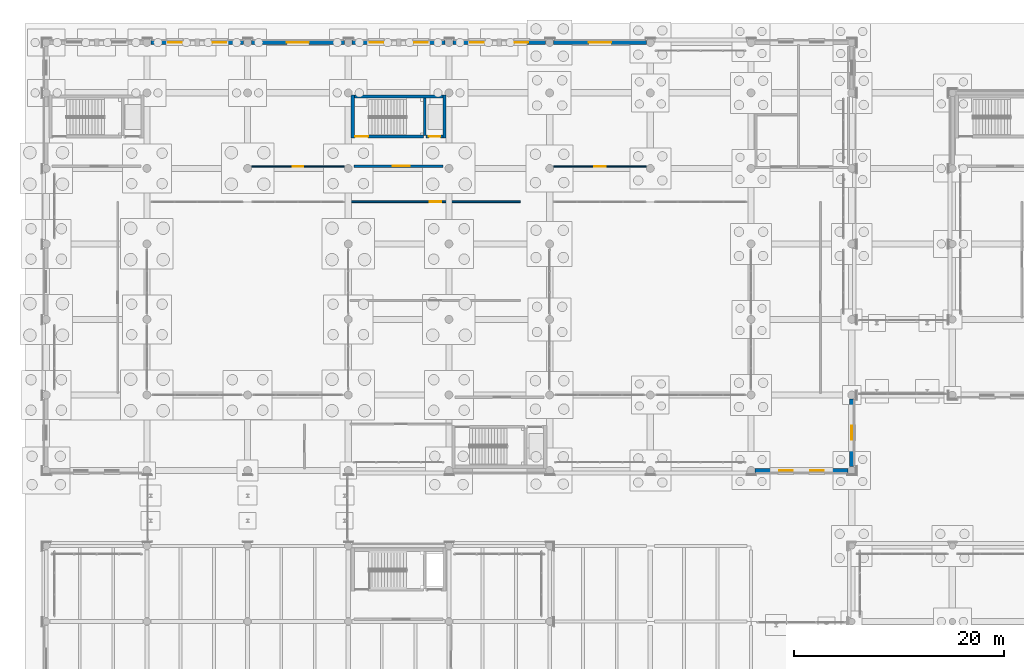
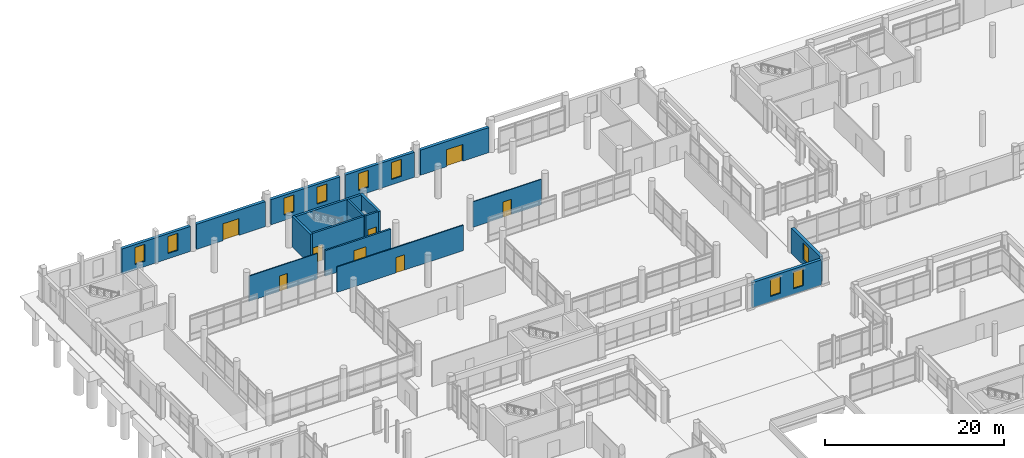
# One storey, part 163 of 196: 17 walls, 9 windows, 8 doors, 17 openings.
"""IFC4 building model written with IfcOpenShell, lengths in metres."""

from ifc_helpers import new_model, si_unit, direction, frame, frame_2d, origin, place, context, subcontext, project, spatial, rectangle, extrude, material, layer, layer_set, type_object, element, fill, save


model = new_model("IFC4")

# Units and contexts
model_context = context("Model", 3, precision=1e-05, world=origin(), true_north=direction((0.0, 1.0)))
body_context = subcontext(model_context, "Body", "Model", "MODEL_VIEW")
ifc_project = project(units=[si_unit("LENGTHUNIT", "METRE"), si_unit("AREAUNIT", "SQUARE_METRE"), si_unit("VOLUMEUNIT", "CUBIC_METRE"), si_unit("PLANEANGLEUNIT", "RADIAN"), si_unit("MASSUNIT", "GRAM", prefix="KILO")], contexts=[model_context])

# Site, building, storey
site_placement = place(None, origin())
site = spatial("IfcSite", under=ifc_project, at=site_placement, CompositionType="ELEMENT")
building_placement = place(site_placement, origin())
building = spatial("IfcBuilding", under=site, at=building_placement, Name="Asteropetra Specialist Clinic", CompositionType="ELEMENT")
storey_placement = place(building_placement, origin())
storey = spatial("IfcBuildingStorey", under=building, at=storey_placement, Name="L00", CompositionType="ELEMENT", Elevation=0.0)

# Wall, openings, windows
ifc_material_1 = material(Name="Pentelic marble ashlar", Category="masonry")
ifc_layer_1 = layer(ifc_material_1, 0.3798828125)
ifc_layer_set_1 = layer_set([ifc_layer_1], Name="Pentelic marble ashlar")
wall_type_1 = type_object("IfcWallType", Name="EW-PENTELIC-380", PredefinedType="SOLIDWALL", material=ifc_layer_set_1)
wall_1_placement = place(storey_placement, frame((18.824951171875, 110.39990234375, 0.0), z_axis=(0.0, 0.0, 1.0), x_axis=(-1.0, 0.0, 0.0)))
wall_1 = element("IfcWall", 1, at=wall_1_placement, inside=storey, type_object=wall_type_1, Name="Exterior Wall EW-0048", PredefinedType="SOLIDWALL", context=body_context, shape_type="SweptSolid", body=[
    extrude(rectangle(XDim=8.849853515625, YDim=0.3798828125, at=frame_2d((4.4248046875, 0.0))), origin(), (0.0, 0.0, 1.0), 3.419921875),
])
opening_1_placement = place(wall_1_placement, frame((1.65087890625, 0.0, 0.719970703125)))
opening_1 = element("IfcOpeningElement", 2, at=opening_1_placement, cuts=wall_1, Name="Opening W-0041", PredefinedType="OPENING", context=body_context, shape_type="SweptSolid", body=[
    extrude(rectangle(XDim=1.300048828125, YDim=2.320068359375, at=frame_2d((0.64990234375, 1.16015625))), frame((0.0, 0.199951171875, 0.0), z_axis=(0.0, -1.0, 0.0), x_axis=(1.0, 0.0, 0.0)), (0.0, 0.0, 1.0), 0.39990234375),
])
opening_2_placement = place(wall_1_placement, frame((5.89892578125, 0.0, 0.719970703125)))
opening_2 = element("IfcOpeningElement", 3, at=opening_2_placement, cuts=wall_1, Name="Opening W-0042", PredefinedType="OPENING", context=body_context, shape_type="SweptSolid", body=[
    extrude(rectangle(XDim=1.300048828125, YDim=2.320068359375, at=frame_2d((0.64990234375, 1.16015625))), frame((0.0, 0.199951171875, 0.0), z_axis=(0.0, -1.0, 0.0), x_axis=(1.0, 0.0, 0.0)), (0.0, 0.0, 1.0), 0.39990234375),
])
ifc_material_2 = material(Name="Thermally broken bronze aluminium and low-E glass", Category="aluminium")
window_type = type_object("IfcWindowType", Name="WIN-T20", PartitioningType="DOUBLE_PANEL_VERTICAL", PredefinedType="WINDOW", material=ifc_material_2)
window_1_placement = place(opening_1_placement, origin())
window_1 = element("IfcWindow", 4, at=window_1_placement, inside=storey, type_object=window_type, Name="Window W-0041", OverallHeight=2.320068359375, OverallWidth=1.300048828125, PartitioningType="SINGLE_PANEL", PredefinedType="WINDOW", context=body_context, shape_type="SweptSolid", body=[
    extrude(rectangle(XDim=1.300048828125, YDim=2.320068359375, at=frame_2d((0.64990234375, 1.16015625))), frame((0.0, 0.030029296875, 0.0), z_axis=(0.0, -1.0, 0.0), x_axis=(1.0, 0.0, 0.0)), (0.0, 0.0, 1.0), 0.06005859375),
])
fill(opening_1, window_1)
window_2_placement = place(opening_2_placement, origin())
window_2 = element("IfcWindow", 5, at=window_2_placement, inside=storey, type_object=window_type, Name="Window W-0042", OverallHeight=2.320068359375, OverallWidth=1.300048828125, PartitioningType="SINGLE_PANEL", PredefinedType="WINDOW", context=body_context, shape_type="SweptSolid", body=[
    extrude(rectangle(XDim=1.300048828125, YDim=2.320068359375, at=frame_2d((0.64990234375, 1.16015625))), frame((0.0, 0.030029296875, 0.0), z_axis=(0.0, -1.0, 0.0), x_axis=(1.0, 0.0, 0.0)), (0.0, 0.0, 1.0), 0.06005859375),
])
fill(opening_2, window_2)

# Wall, opening, door
wall_2_placement = place(storey_placement, frame((28.425048828125, 110.39990234375, 0.0), z_axis=(0.0, 0.0, 1.0), x_axis=(-1.0, 0.0, 0.0)))
wall_2 = element("IfcWall", 6, at=wall_2_placement, inside=storey, type_object=wall_type_1, Name="Exterior Wall EW-0049", PredefinedType="SOLIDWALL", context=body_context, shape_type="SweptSolid", body=[
    extrude(rectangle(XDim=8.85009765625, YDim=0.3798828125, at=frame_2d((4.425048828125, 0.0))), origin(), (0.0, 0.0, 1.0), 3.419921875),
])
opening_3_placement = place(wall_2_placement, frame((3.375, 0.0, 0.0)))
opening_3 = element("IfcOpeningElement", 7, at=opening_3_placement, cuts=wall_2, Name="Opening ED-008", PredefinedType="OPENING", context=body_context, shape_type="SweptSolid", body=[
    extrude(rectangle(XDim=2.10009765625, YDim=2.300048828125, at=frame_2d((1.050048828125, 1.14990234375))), frame((0.0, 0.199951171875, 0.0), z_axis=(0.0, -1.0, 0.0), x_axis=(1.0, 0.0, 0.0)), (0.0, 0.0, 1.0), 0.39990234375),
])
ifc_material_3 = material(Name="Bronze aluminium and safety glass", Category="aluminium")
door_type_1 = type_object("IfcDoorType", Name="EDR-EXIT-2100", OperationType="DOUBLE_DOOR_SINGLE_SWING", PredefinedType="DOOR", material=ifc_material_3)
door_1_placement = place(opening_3_placement, origin())
door_1 = element("IfcDoor", 8, at=door_1_placement, inside=storey, type_object=door_type_1, Name="Exterior Door ED-008", OperationType="DOUBLE_DOOR_SINGLE_SWING", OverallHeight=2.300048828125, OverallWidth=2.10009765625, PredefinedType="DOOR", context=body_context, shape_type="SweptSolid", body=[
    extrude(rectangle(XDim=2.10009765625, YDim=2.300048828125, at=frame_2d((1.050048828125, 1.14990234375))), frame((0.0, 0.02490234375, 0.0), z_axis=(0.0, -1.0, 0.0), x_axis=(1.0, 0.0, 0.0)), (0.0, 0.0, 1.0), 0.050048828125),
])
fill(opening_3, door_1)

# Wall, openings, windows
wall_3_placement = place(storey_placement, frame((38.02490234375, 110.39990234375, 0.0), z_axis=(0.0, 0.0, 1.0), x_axis=(-1.0, 0.0, 0.0)))
wall_3 = element("IfcWall", 9, at=wall_3_placement, inside=storey, type_object=wall_type_1, Name="Exterior Wall EW-0050", PredefinedType="SOLIDWALL", context=body_context, shape_type="SweptSolid", body=[
    extrude(rectangle(XDim=8.849853515625, YDim=0.3798828125, at=frame_2d((4.4248046875, 0.0))), origin(), (0.0, 0.0, 1.0), 3.419921875),
])
opening_4_placement = place(wall_3_placement, frame((1.65087890625, 0.0, 0.719970703125)))
opening_4 = element("IfcOpeningElement", 10, at=opening_4_placement, cuts=wall_3, Name="Opening W-0043", PredefinedType="OPENING", context=body_context, shape_type="SweptSolid", body=[
    extrude(rectangle(XDim=1.300048828125, YDim=2.320068359375, at=frame_2d((0.64990234375, 1.16015625))), frame((0.0, 0.199951171875, 0.0), z_axis=(0.0, -1.0, 0.0), x_axis=(1.0, 0.0, 0.0)), (0.0, 0.0, 1.0), 0.39990234375),
])
opening_5_placement = place(wall_3_placement, frame((5.89892578125, 0.0, 0.719970703125)))
opening_5 = element("IfcOpeningElement", 11, at=opening_5_placement, cuts=wall_3, Name="Opening W-0044", PredefinedType="OPENING", context=body_context, shape_type="SweptSolid", body=[
    extrude(rectangle(XDim=1.300048828125, YDim=2.320068359375, at=frame_2d((0.64990234375, 1.16015625))), frame((0.0, 0.199951171875, 0.0), z_axis=(0.0, -1.0, 0.0), x_axis=(1.0, 0.0, 0.0)), (0.0, 0.0, 1.0), 0.39990234375),
])
window_3_placement = place(opening_4_placement, origin())
window_3 = element("IfcWindow", 12, at=window_3_placement, inside=storey, type_object=window_type, Name="Window W-0043", OverallHeight=2.320068359375, OverallWidth=1.300048828125, PartitioningType="SINGLE_PANEL", PredefinedType="WINDOW", context=body_context, shape_type="SweptSolid", body=[
    extrude(rectangle(XDim=1.300048828125, YDim=2.320068359375, at=frame_2d((0.64990234375, 1.16015625))), frame((0.0, 0.030029296875, 0.0), z_axis=(0.0, -1.0, 0.0), x_axis=(1.0, 0.0, 0.0)), (0.0, 0.0, 1.0), 0.06005859375),
])
fill(opening_4, window_3)
window_4_placement = place(opening_5_placement, origin())
window_4 = element("IfcWindow", 13, at=window_4_placement, inside=storey, type_object=window_type, Name="Window W-0044", OverallHeight=2.320068359375, OverallWidth=1.300048828125, PartitioningType="SINGLE_PANEL", PredefinedType="WINDOW", context=body_context, shape_type="SweptSolid", body=[
    extrude(rectangle(XDim=1.300048828125, YDim=2.320068359375, at=frame_2d((0.64990234375, 1.16015625))), frame((0.0, 0.030029296875, 0.0), z_axis=(0.0, -1.0, 0.0), x_axis=(1.0, 0.0, 0.0)), (0.0, 0.0, 1.0), 0.06005859375),
])
fill(opening_5, window_4)

wall_4_placement = place(storey_placement, frame((47.625, 110.39990234375, 0.0), z_axis=(0.0, 0.0, 1.0), x_axis=(-1.0, 0.0, 0.0)))
wall_4 = element("IfcWall", 14, at=wall_4_placement, inside=storey, type_object=wall_type_1, Name="Exterior Wall EW-0052", PredefinedType="SOLIDWALL", context=body_context, shape_type="SweptSolid", body=[
    extrude(rectangle(XDim=8.85009765625, YDim=0.3798828125, at=frame_2d((4.425048828125, 0.0))), origin(), (0.0, 0.0, 1.0), 3.419921875),
])
opening_6_placement = place(wall_4_placement, frame((1.65087890625, 0.0, 0.719970703125)))
opening_6 = element("IfcOpeningElement", 15, at=opening_6_placement, cuts=wall_4, Name="Opening W-0045", PredefinedType="OPENING", context=body_context, shape_type="SweptSolid", body=[
    extrude(rectangle(XDim=1.300048828125, YDim=2.320068359375, at=frame_2d((0.64990234375, 1.16015625))), frame((0.0, 0.199951171875, 0.0), z_axis=(0.0, -1.0, 0.0), x_axis=(1.0, 0.0, 0.0)), (0.0, 0.0, 1.0), 0.39990234375),
])
opening_7_placement = place(wall_4_placement, frame((5.89892578125, 0.0, 0.719970703125)))
opening_7 = element("IfcOpeningElement", 16, at=opening_7_placement, cuts=wall_4, Name="Opening W-0046", PredefinedType="OPENING", context=body_context, shape_type="SweptSolid", body=[
    extrude(rectangle(XDim=1.300048828125, YDim=2.320068359375, at=frame_2d((0.64990234375, 1.16015625))), frame((0.0, 0.199951171875, 0.0), z_axis=(0.0, -1.0, 0.0), x_axis=(1.0, 0.0, 0.0)), (0.0, 0.0, 1.0), 0.39990234375),
])
window_5_placement = place(opening_6_placement, origin())
window_5 = element("IfcWindow", 17, at=window_5_placement, inside=storey, type_object=window_type, Name="Window W-0045", OverallHeight=2.320068359375, OverallWidth=1.300048828125, PartitioningType="SINGLE_PANEL", PredefinedType="WINDOW", context=body_context, shape_type="SweptSolid", body=[
    extrude(rectangle(XDim=1.300048828125, YDim=2.320068359375, at=frame_2d((0.64990234375, 1.16015625))), frame((0.0, 0.030029296875, 0.0), z_axis=(0.0, -1.0, 0.0), x_axis=(1.0, 0.0, 0.0)), (0.0, 0.0, 1.0), 0.06005859375),
])
fill(opening_6, window_5)
window_6_placement = place(opening_7_placement, origin())
window_6 = element("IfcWindow", 18, at=window_6_placement, inside=storey, type_object=window_type, Name="Window W-0046", OverallHeight=2.320068359375, OverallWidth=1.300048828125, PartitioningType="SINGLE_PANEL", PredefinedType="WINDOW", context=body_context, shape_type="SweptSolid", body=[
    extrude(rectangle(XDim=1.300048828125, YDim=2.320068359375, at=frame_2d((0.64990234375, 1.16015625))), frame((0.0, 0.030029296875, 0.0), z_axis=(0.0, -1.0, 0.0), x_axis=(1.0, 0.0, 0.0)), (0.0, 0.0, 1.0), 0.06005859375),
])
fill(opening_7, window_6)

# Wall, opening, door
wall_5_placement = place(storey_placement, frame((57.22509765625, 110.39990234375, 0.0), z_axis=(0.0, 0.0, 1.0), x_axis=(-1.0, 0.0, 0.0)))
wall_5 = element("IfcWall", 19, at=wall_5_placement, inside=storey, type_object=wall_type_1, Name="Exterior Wall EW-0053", PredefinedType="SOLIDWALL", context=body_context, shape_type="SweptSolid", body=[
    extrude(rectangle(XDim=8.85009765625, YDim=0.3798828125, at=frame_2d((4.425048828125, 0.0))), origin(), (0.0, 0.0, 1.0), 3.419921875),
])
opening_8_placement = place(wall_5_placement, frame((3.375, 0.0, 0.0)))
opening_8 = element("IfcOpeningElement", 20, at=opening_8_placement, cuts=wall_5, Name="Opening ED-009", PredefinedType="OPENING", context=body_context, shape_type="SweptSolid", body=[
    extrude(rectangle(XDim=2.10009765625, YDim=2.300048828125, at=frame_2d((1.050048828125, 1.14990234375))), frame((0.0, 0.199951171875, 0.0), z_axis=(0.0, -1.0, 0.0), x_axis=(1.0, 0.0, 0.0)), (0.0, 0.0, 1.0), 0.39990234375),
])
door_2_placement = place(opening_8_placement, origin())
door_2 = element("IfcDoor", 21, at=door_2_placement, inside=storey, type_object=door_type_1, Name="Exterior Door ED-009", OperationType="DOUBLE_DOOR_SINGLE_SWING", OverallHeight=2.300048828125, OverallWidth=2.10009765625, PredefinedType="DOOR", context=body_context, shape_type="SweptSolid", body=[
    extrude(rectangle(XDim=2.10009765625, YDim=2.300048828125, at=frame_2d((1.050048828125, 1.14990234375))), frame((0.0, 0.02490234375, 0.0), z_axis=(0.0, -1.0, 0.0), x_axis=(1.0, 0.0, 0.0)), (0.0, 0.0, 1.0), 0.050048828125),
])
fill(opening_8, door_2)

# Wall, openings, windows
wall_6_placement = place(storey_placement, frame((67.574951171875, 69.60009765625, 0.0), z_axis=(0.0, 0.0, 1.0), x_axis=(1.0, 0.0, 0.0)))
wall_6 = element("IfcWall", 22, at=wall_6_placement, inside=storey, type_object=wall_type_1, Name="Exterior Wall EW-0054", PredefinedType="SOLIDWALL", context=body_context, shape_type="SweptSolid", body=[
    extrude(rectangle(XDim=8.85009765625, YDim=0.3798828125, at=frame_2d((4.425048828125, 0.0))), origin(), (0.0, 0.0, 1.0), 3.419921875),
])
opening_9_placement = place(wall_6_placement, frame((2.300048828125, 0.0, 0.719970703125)))
opening_9 = element("IfcOpeningElement", 23, at=opening_9_placement, cuts=wall_6, Name="Opening W-0047", PredefinedType="OPENING", context=body_context, shape_type="SweptSolid", body=[
    extrude(rectangle(XDim=1.300048828125, YDim=2.320068359375, at=frame_2d((0.64990234375, 1.16015625))), frame((0.0, 0.199951171875, 0.0), z_axis=(0.0, -1.0, 0.0), x_axis=(1.0, 0.0, 0.0)), (0.0, 0.0, 1.0), 0.39990234375),
])
opening_10_placement = place(wall_6_placement, frame((5.25, 0.0, 0.719970703125)))
opening_10 = element("IfcOpeningElement", 24, at=opening_10_placement, cuts=wall_6, Name="Opening W-0048", PredefinedType="OPENING", context=body_context, shape_type="SweptSolid", body=[
    extrude(rectangle(XDim=1.300048828125, YDim=2.320068359375, at=frame_2d((0.64990234375, 1.16015625))), frame((0.0, 0.199951171875, 0.0), z_axis=(0.0, -1.0, 0.0), x_axis=(1.0, 0.0, 0.0)), (0.0, 0.0, 1.0), 0.39990234375),
])
window_7_placement = place(opening_9_placement, origin())
window_7 = element("IfcWindow", 25, at=window_7_placement, inside=storey, type_object=window_type, Name="Window W-0047", OverallHeight=2.320068359375, OverallWidth=1.300048828125, PartitioningType="SINGLE_PANEL", PredefinedType="WINDOW", context=body_context, shape_type="SweptSolid", body=[
    extrude(rectangle(XDim=1.300048828125, YDim=2.320068359375, at=frame_2d((0.64990234375, 1.16015625))), frame((0.0, 0.030029296875, 0.0), z_axis=(0.0, -1.0, 0.0), x_axis=(1.0, 0.0, 0.0)), (0.0, 0.0, 1.0), 0.06005859375),
])
fill(opening_9, window_7)
window_8_placement = place(opening_10_placement, origin())
window_8 = element("IfcWindow", 26, at=window_8_placement, inside=storey, type_object=window_type, Name="Window W-0048", OverallHeight=2.320068359375, OverallWidth=1.300048828125, PartitioningType="SINGLE_PANEL", PredefinedType="WINDOW", context=body_context, shape_type="SweptSolid", body=[
    extrude(rectangle(XDim=1.300048828125, YDim=2.320068359375, at=frame_2d((0.64990234375, 1.16015625))), frame((0.0, 0.030029296875, 0.0), z_axis=(0.0, -1.0, 0.0), x_axis=(1.0, 0.0, 0.0)), (0.0, 0.0, 1.0), 0.06005859375),
])
fill(opening_10, window_8)

# Wall, opening, window
wall_7_placement = place(storey_placement, frame((76.800048828125, 69.97509765625, 0.0), z_axis=(0.0, 0.0, 1.0), x_axis=(0.0, 1.0, 0.0)))
wall_7 = element("IfcWall", 27, at=wall_7_placement, inside=storey, type_object=wall_type_1, Name="Exterior Wall EW-0057", PredefinedType="SOLIDWALL", context=body_context, shape_type="SweptSolid", body=[
    extrude(rectangle(XDim=6.449951171875, YDim=0.3798828125, at=frame_2d((3.22509765625, 0.0))), origin(), (0.0, 0.0, 1.0), 3.419921875),
])
opening_11_placement = place(wall_7_placement, frame((2.574951171875, 0.0, 0.719970703125)))
opening_11 = element("IfcOpeningElement", 28, at=opening_11_placement, cuts=wall_7, Name="Opening W-0052", PredefinedType="OPENING", context=body_context, shape_type="SweptSolid", body=[
    extrude(rectangle(XDim=1.300048828125, YDim=2.320068359375, at=frame_2d((0.64990234375, 1.16015625))), frame((0.0, 0.199951171875, 0.0), z_axis=(0.0, -1.0, 0.0), x_axis=(1.0, 0.0, 0.0)), (0.0, 0.0, 1.0), 0.39990234375),
])
window_9_placement = place(opening_11_placement, origin())
window_9 = element("IfcWindow", 29, at=window_9_placement, inside=storey, type_object=window_type, Name="Window W-0052", OverallHeight=2.320068359375, OverallWidth=1.300048828125, PartitioningType="SINGLE_PANEL", PredefinedType="WINDOW", context=body_context, shape_type="SweptSolid", body=[
    extrude(rectangle(XDim=1.300048828125, YDim=2.320068359375, at=frame_2d((0.64990234375, 1.16015625))), frame((0.0, 0.030029296875, 0.0), z_axis=(0.0, -1.0, 0.0), x_axis=(1.0, 0.0, 0.0)), (0.0, 0.0, 1.0), 0.06005859375),
])
fill(opening_11, window_9)

# Wall, opening, door
ifc_material_4 = material(Name="Fire-rated masonry and gypsum", Category="masonry")
ifc_layer_2 = layer(ifc_material_4, 0.219970703125)
ifc_layer_set_2 = layer_set([ifc_layer_2], Name="Fire-rated masonry and gypsum")
wall_type_2 = type_object("IfcWallType", Name="W-COMP-220", PredefinedType="PARTITIONING", material=ifc_layer_set_2)
wall_8_placement = place(storey_placement, frame((29.360107421875, 98.6201171875, 0.0), z_axis=(0.0, 0.0, 1.0), x_axis=(1.0, 0.0, 0.0)))
wall_8 = element("IfcWall", 30, at=wall_8_placement, inside=storey, type_object=wall_type_2, Name="Core Wall CW-C2-L00-LOB", PredefinedType="PARTITIONING", context=body_context, shape_type="SweptSolid", body=[
    extrude(rectangle(XDim=8.47998046875, YDim=0.219970703125, at=frame_2d((4.239990234375, 0.0))), origin(), (0.0, 0.0, 1.0), 3.469970703125),
])
opening_12_placement = place(wall_8_placement, frame((3.699951171875, 0.0, 0.0)))
opening_12 = element("IfcOpeningElement", 31, at=opening_12_placement, cuts=wall_8, Name="Opening FD-014", PredefinedType="OPENING", context=body_context, shape_type="SweptSolid", body=[
    extrude(rectangle(XDim=1.60009765625, YDim=2.199951171875, at=frame_2d((0.800048828125, 1.10009765625))), frame((0.0, 0.119873046875, 0.0), z_axis=(0.0, -1.0, 0.0), x_axis=(1.0, 0.0, 0.0)), (0.0, 0.0, 1.0), 0.239990234375),
])
ifc_material_5 = material(Name="Fire-rated steel and vision glass door", Category="steel")
door_type_2 = type_object("IfcDoorType", Name="FD-LOBBY-1600", OperationType="DOUBLE_DOOR_SINGLE_SWING", PredefinedType="DOOR", material=ifc_material_5)
door_3_placement = place(opening_12_placement, origin())
door_3 = element("IfcDoor", 32, at=door_3_placement, inside=storey, type_object=door_type_2, Name="Lobby Fire Door FD-014", OperationType="DOUBLE_DOOR_SINGLE_SWING", OverallHeight=2.199951171875, OverallWidth=1.60009765625, PredefinedType="DOOR", context=body_context, shape_type="SweptSolid", body=[
    extrude(rectangle(XDim=1.60009765625, YDim=2.199951171875, at=frame_2d((0.800048828125, 1.10009765625))), frame((0.0, 0.02490234375, 0.0), z_axis=(0.0, -1.0, 0.0), x_axis=(1.0, 0.0, 0.0)), (0.0, 0.0, 1.0), 0.050048828125),
])
fill(opening_12, door_3)

# Walls
ifc_material_6 = material(Name="Concrete C35/45", Category="concrete")
ifc_layer_3 = layer(ifc_material_6, 0.300048828125)
ifc_layer_set_3 = layer_set([ifc_layer_3], Name="Concrete C35/45")
wall_type_3 = type_object("IfcWallType", Name="W-CORE-300", PredefinedType="SHEAR", material=ifc_layer_set_3)
for number, where, z_axis, x_axis, name in (
    (33, (29.219970703125, 101.2900390625, 0.0), (0.0, 0.0, 1.0), (0.0, 1.0, 0.0), "Core Wall CW-C2-L00-W"),
    (34, (37.97998046875, 101.2900390625, 0.0), (0.0, 0.0, 1.0), (0.0, 1.0, 0.0), "Core Wall CW-C2-L00-E"),
):
    element("IfcWall", number, at=place(storey_placement, frame(where, z_axis=z_axis, x_axis=x_axis)), inside=storey, type_object=wall_type_3, Name=name, PredefinedType="SHEAR", context=body_context, shape_type="SweptSolid", body=[
        extrude(rectangle(XDim=4.099853515625, YDim=0.300048828125, at=frame_2d((2.0498046875, 0.0))), origin(), (0.0, 0.0, 1.0), 4.139892578125),
    ])
wall_9_placement = place(storey_placement, frame((29.364990234375, 105.239990234375, 0.0), z_axis=(0.0, 0.0, 1.0), x_axis=(1.0, 0.0, 0.0)))
element("IfcWall", 35, at=wall_9_placement, inside=storey, type_object=wall_type_3, Name="Core Wall CW-C2-L00-BACK", PredefinedType="SHEAR", context=body_context, shape_type="SweptSolid", body=[
    extrude(rectangle(XDim=8.469970703125, YDim=0.300048828125, at=frame_2d((4.23486328125, 0.0))), origin(), (0.0, 0.0, 1.0), 4.139892578125),
])

# Wall, opening, door
ifc_material_7 = material(Name="Light partition", Category="masonry")
ifc_layer_4 = layer(ifc_material_7, 0.1201171875)
ifc_layer_set_4 = layer_set([ifc_layer_4], Name="Light partition")
wall_type_4 = type_object("IfcWallType", Name="W-PART-120", PredefinedType="PARTITIONING", material=ifc_layer_set_4)
wall_10_placement = place(storey_placement, frame((48.3798828125, 98.580078125, 0.0), z_axis=(0.0, 0.0, 1.0), x_axis=(1.0, 0.0, 0.0)))
wall_10 = element("IfcWall", 36, at=wall_10_placement, inside=storey, type_object=wall_type_4, Name="Interior Partition PW-0064", PredefinedType="PARTITIONING", context=body_context, shape_type="SweptSolid", body=[
    extrude(rectangle(XDim=8.840087890625, YDim=0.1201171875, at=frame_2d((4.419921875, 0.0))), origin(), (0.0, 0.0, 1.0), 3.4599609375),
])
opening_13_placement = place(wall_10_placement, frame((3.8798828125, 0.0, 0.0)))
opening_13 = element("IfcOpeningElement", 37, at=opening_13_placement, cuts=wall_10, Name="Opening ID-0038", PredefinedType="OPENING", context=body_context, shape_type="SweptSolid", body=[
    extrude(rectangle(XDim=1.080078125, YDim=2.10009765625, at=frame_2d((0.5400390625, 1.050048828125))), frame((0.0, 0.070068359375, 0.0), z_axis=(0.0, -1.0, 0.0), x_axis=(1.0, 0.0, 0.0)), (0.0, 0.0, 1.0), 0.14013671875),
])
ifc_material_8 = material(Name="Antimicrobial laminate timber leaf in steel frame", Category="steel")
door_type_3 = type_object("IfcDoorType", Name="ID-EXAM-1080", OperationType="SINGLE_SWING_LEFT", PredefinedType="DOOR", material=ifc_material_8)
door_4_placement = place(opening_13_placement, origin())
door_4 = element("IfcDoor", 38, at=door_4_placement, inside=storey, type_object=door_type_3, Name="Interior Door ID-0038", OperationType="SINGLE_SWING_LEFT", OverallHeight=2.10009765625, OverallWidth=1.080078125, PredefinedType="DOOR", context=body_context, shape_type="SweptSolid", body=[
    extrude(rectangle(XDim=1.080078125, YDim=2.10009765625, at=frame_2d((0.5400390625, 1.050048828125))), frame((0.0, 0.02490234375, 0.0), z_axis=(0.0, -1.0, 0.0), x_axis=(1.0, 0.0, 0.0)), (0.0, 0.0, 1.0), 0.050048828125),
])
fill(opening_13, door_4)

ifc_material_9 = material(Name="Office and seminar partition", Category="masonry")
ifc_layer_5 = layer(ifc_material_9, 0.1298828125)
ifc_layer_set_5 = layer_set([ifc_layer_5], Name="Office and seminar partition")
wall_type_5 = type_object("IfcWallType", Name="W-PART-130", PredefinedType="PARTITIONING", material=ifc_layer_set_5)
wall_11_placement = place(storey_placement, frame((19.580078125, 98.580078125, 0.0), z_axis=(0.0, 0.0, 1.0), x_axis=(1.0, 0.0, 0.0)))
wall_11 = element("IfcWall", 39, at=wall_11_placement, inside=storey, type_object=wall_type_5, Name="Interior Partition PW-0063", PredefinedType="PARTITIONING", context=body_context, shape_type="SweptSolid", body=[
    extrude(rectangle(XDim=8.83984375, YDim=0.1298828125, at=frame_2d((4.419921875, 0.0))), origin(), (0.0, 0.0, 1.0), 3.4599609375),
])
opening_14_placement = place(wall_11_placement, frame((3.919921875, 0.0, 0.0)))
opening_14 = element("IfcOpeningElement", 40, at=opening_14_placement, cuts=wall_11, Name="Opening ID-0037", PredefinedType="OPENING", context=body_context, shape_type="SweptSolid", body=[
    extrude(rectangle(XDim=1.0, YDim=2.10009765625, at=frame_2d((0.5, 1.050048828125))), frame((0.0, 0.074951171875, 0.0), z_axis=(0.0, -1.0, 0.0), x_axis=(1.0, 0.0, 0.0)), (0.0, 0.0, 1.0), 0.14990234375),
])
ifc_material_10 = material(Name="Antimicrobial laminate timber leaf in steel frame", Category="steel")
door_type_4 = type_object("IfcDoorType", Name="ID-CONS-1000", OperationType="SINGLE_SWING_RIGHT", PredefinedType="DOOR", material=ifc_material_10)
door_5_placement = place(opening_14_placement, origin())
door_5 = element("IfcDoor", 41, at=door_5_placement, inside=storey, type_object=door_type_4, Name="Interior Door ID-0037", OperationType="SINGLE_SWING_RIGHT", OverallHeight=2.10009765625, OverallWidth=1.0, PredefinedType="DOOR", context=body_context, shape_type="SweptSolid", body=[
    extrude(rectangle(XDim=1.0, YDim=2.10009765625, at=frame_2d((0.5, 1.050048828125))), frame((0.0, 0.02490234375, 0.0), z_axis=(0.0, -1.0, 0.0), x_axis=(1.0, 0.0, 0.0)), (0.0, 0.0, 1.0), 0.050048828125),
])
fill(opening_14, door_5)

ifc_material_11 = material(Name="Clinical consulting partition", Category="masonry")
ifc_layer_6 = layer(ifc_material_11, 0.14990234375)
ifc_layer_set_6 = layer_set([ifc_layer_6], Name="Clinical consulting partition")
wall_type_6 = type_object("IfcWallType", Name="W-PART-150", PredefinedType="PARTITIONING", material=ifc_layer_set_6)
wall_12_placement = place(storey_placement, frame((28.97998046875, 95.219970703125, 0.0), z_axis=(0.0, 0.0, 1.0), x_axis=(1.0, 0.0, 0.0)))
wall_12 = element("IfcWall", 42, at=wall_12_placement, inside=storey, type_object=wall_type_6, Name="Interior Partition PW-0061", PredefinedType="PARTITIONING", context=body_context, shape_type="SweptSolid", body=[
    extrude(rectangle(XDim=16.239990234375, YDim=0.14990234375, at=frame_2d((8.1201171875, 0.0))), origin(), (0.0, 0.0, 1.0), 3.4599609375),
])
opening_15_placement = place(wall_12_placement, frame((7.570068359375, 0.0, 0.0)))
opening_15 = element("IfcOpeningElement", 43, at=opening_15_placement, cuts=wall_12, Name="Opening ID-0035", PredefinedType="OPENING", context=body_context, shape_type="SweptSolid", body=[
    extrude(rectangle(XDim=1.10009765625, YDim=2.10009765625, at=frame_2d((0.550048828125, 1.050048828125))), frame((0.0, 0.0849609375, 0.0), z_axis=(0.0, -1.0, 0.0), x_axis=(1.0, 0.0, 0.0)), (0.0, 0.0, 1.0), 0.169921875),
])
ifc_material_12 = material(Name="Antimicrobial laminate timber leaf in steel frame", Category="steel")
door_type_5 = type_object("IfcDoorType", Name="ID-CONS-1100", OperationType="SINGLE_SWING_RIGHT", PredefinedType="DOOR", material=ifc_material_12)
door_6_placement = place(opening_15_placement, origin())
door_6 = element("IfcDoor", 44, at=door_6_placement, inside=storey, type_object=door_type_5, Name="Interior Door ID-0035", OperationType="SINGLE_SWING_RIGHT", OverallHeight=2.10009765625, OverallWidth=1.10009765625, PredefinedType="DOOR", context=body_context, shape_type="SweptSolid", body=[
    extrude(rectangle(XDim=1.10009765625, YDim=2.10009765625, at=frame_2d((0.550048828125, 1.050048828125))), frame((0.0, 0.02490234375, 0.0), z_axis=(0.0, -1.0, 0.0), x_axis=(1.0, 0.0, 0.0)), (0.0, 0.0, 1.0), 0.050048828125),
])
fill(opening_15, door_6)

# Wall
ifc_material_13 = material(Name="Concrete C35/45", Category="concrete")
ifc_layer_7 = layer(ifc_material_13, 0.25)
ifc_layer_set_7 = layer_set([ifc_layer_7], Name="Concrete C35/45")
wall_type_7 = type_object("IfcWallType", Name="W-SHAFT-250", PredefinedType="SHEAR", material=ifc_layer_set_7)
wall_13_placement = place(storey_placement, frame((36.10009765625, 101.56005859375, 0.0), z_axis=(0.0, 0.0, 1.0), x_axis=(0.0, 1.0, 0.0)))
element("IfcWall", 45, at=wall_13_placement, inside=storey, type_object=wall_type_7, Name="Core Wall CW-C2-L00-MID", PredefinedType="SHEAR", context=body_context, shape_type="SweptSolid", body=[
    extrude(rectangle(XDim=3.530029296875, YDim=0.25, at=frame_2d((1.76513671875, 0.0))), origin(), (0.0, 0.0, 1.0), 4.139892578125),
])

# Wall, opening, door
wall_14_placement = place(storey_placement, frame((29.364990234375, 101.43994140625, 0.0), z_axis=(0.0, 0.0, 1.0), x_axis=(1.0, 0.0, 0.0)))
wall_14 = element("IfcWall", 46, at=wall_14_placement, inside=storey, type_object=wall_type_7, Name="Core Wall CW-C2-L00-STDIV", PredefinedType="SHEAR", context=body_context, shape_type="SweptSolid", body=[
    extrude(rectangle(XDim=6.614990234375, YDim=0.25, at=frame_2d((3.3076171875, 0.0))), origin(), (0.0, 0.0, 1.0), 4.139892578125),
])
opening_16_placement = place(wall_14_placement, frame((0.080078125, 0.0, 0.0)))
opening_16 = element("IfcOpeningElement", 47, at=opening_16_placement, cuts=wall_14, Name="Opening FD-013", PredefinedType="OPENING", context=body_context, shape_type="SweptSolid", body=[
    extrude(rectangle(XDim=1.239990234375, YDim=2.14990234375, at=frame_2d((0.6201171875, 1.074951171875))), frame((0.0, 0.135009765625, 0.0), z_axis=(0.0, -1.0, 0.0), x_axis=(1.0, 0.0, 0.0)), (0.0, 0.0, 1.0), 0.27001953125),
])
ifc_material_14 = material(Name="Fire-rated steel and vision glass door", Category="steel")
door_type_6 = type_object("IfcDoorType", Name="FD-STAIR-1400", OperationType="DOUBLE_DOOR_SINGLE_SWING", PredefinedType="DOOR", material=ifc_material_14)
door_7_placement = place(opening_16_placement, origin())
door_7 = element("IfcDoor", 48, at=door_7_placement, inside=storey, type_object=door_type_6, Name="Stair Fire Door FD-013", OperationType="DOUBLE_DOOR_SINGLE_SWING", OverallHeight=2.14990234375, OverallWidth=1.239990234375, PredefinedType="DOOR", context=body_context, shape_type="SweptSolid", body=[
    extrude(rectangle(XDim=1.239990234375, YDim=2.14990234375, at=frame_2d((0.6201171875, 1.074951171875))), frame((0.0, 0.02490234375, 0.0), z_axis=(0.0, -1.0, 0.0), x_axis=(1.0, 0.0, 0.0)), (0.0, 0.0, 1.0), 0.050048828125),
])
fill(opening_16, door_7)

wall_15_placement = place(storey_placement, frame((36.219970703125, 101.43994140625, 0.0), z_axis=(0.0, 0.0, 1.0), x_axis=(1.0, 0.0, 0.0)))
wall_15 = element("IfcWall", 49, at=wall_15_placement, inside=storey, type_object=wall_type_7, Name="Lift Shaft Front Wall CW-C2-L00-LFTF", PredefinedType="SHEAR", context=body_context, shape_type="SweptSolid", body=[
    extrude(rectangle(XDim=1.614990234375, YDim=0.25, at=frame_2d((0.8076171875, 0.0))), origin(), (0.0, 0.0, 1.0), 4.139892578125),
])
opening_17_placement = place(wall_15_placement, frame((0.257568359375, 0.0, 0.0)))
opening_17 = element("IfcOpeningElement", 50, at=opening_17_placement, cuts=wall_15, Name="Opening LD-007", PredefinedType="OPENING", context=body_context, shape_type="SweptSolid", body=[
    extrude(rectangle(XDim=1.10009765625, YDim=2.14990234375, at=frame_2d((0.550048828125, 1.074951171875))), frame((0.0, 0.135009765625, 0.0), z_axis=(0.0, -1.0, 0.0), x_axis=(1.0, 0.0, 0.0)), (0.0, 0.0, 1.0), 0.27001953125),
])
ifc_material_15 = material(Name="Brushed stainless steel sliding lift landing door", Category="steel")
door_type_7 = type_object("IfcDoorType", Name="LD-PASS-1100", OperationType="DOUBLE_DOOR_SLIDING", PredefinedType="DOOR", material=ifc_material_15)
door_8_placement = place(opening_17_placement, origin())
door_8 = element("IfcDoor", 51, at=door_8_placement, inside=storey, type_object=door_type_7, Name="Lift Landing Door LD-007", OperationType="DOUBLE_DOOR_SLIDING", OverallHeight=2.14990234375, OverallWidth=1.10009765625, PredefinedType="DOOR", context=body_context, shape_type="SweptSolid", body=[
    extrude(rectangle(XDim=1.10009765625, YDim=2.14990234375, at=frame_2d((0.550048828125, 1.074951171875))), frame((0.0, 0.02490234375, 0.0), z_axis=(0.0, -1.0, 0.0), x_axis=(1.0, 0.0, 0.0)), (0.0, 0.0, 1.0), 0.050048828125),
])
fill(opening_17, door_8)

save(model, "model.ifc")
